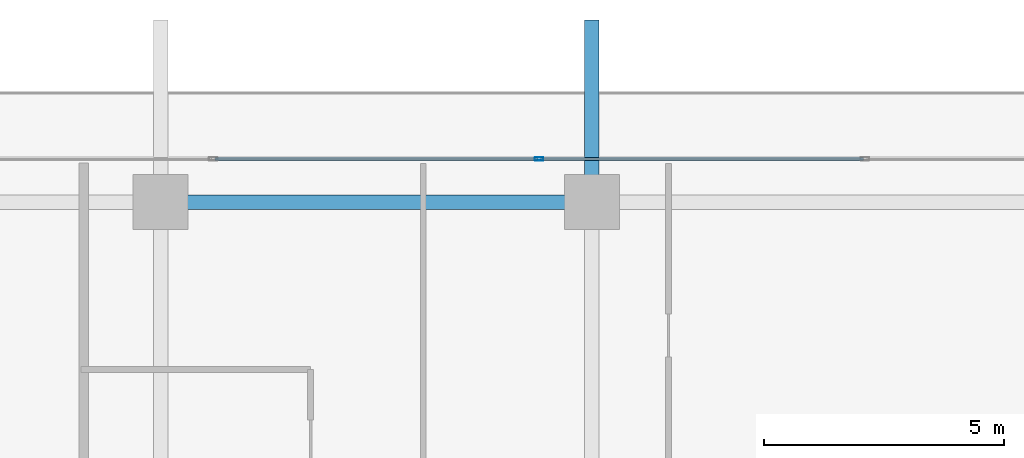
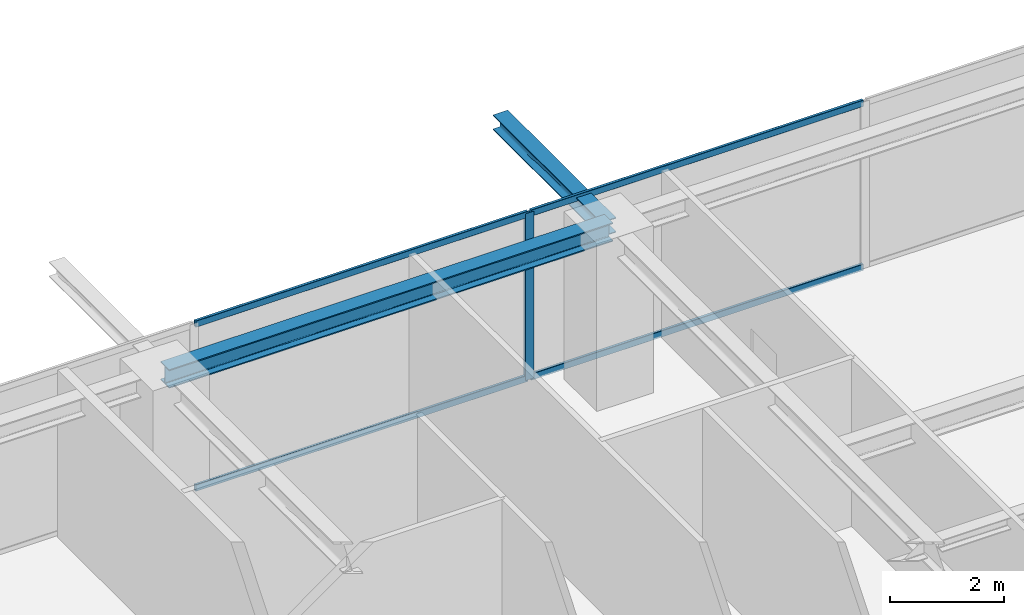
# One storey, part 21 of 38: 5 members, 2 beams, 1 element without a shape of its own.
"""IFC4 building model written with IfcOpenShell, lengths in metres."""

from ifc_helpers import new_model, si_unit, direction, frame, origin, origin_2d, place, context, subcontext, project, spatial, hollow_rectangle, i_section, extrude, source, transform, mapped, material, layer, layer_set, material_profile, profile_set, type_object, element, aggregate, save


model = new_model("IFC4")

# Units and contexts
model_context = context("Model", 3, precision=1e-05, world=origin(), true_north=direction((0.0, 1.0)))
body_context = subcontext(model_context, "Body", "Model", "MODEL_VIEW")
ifc_project = project(units=[si_unit("LENGTHUNIT", "METRE"), si_unit("AREAUNIT", "SQUARE_METRE"), si_unit("VOLUMEUNIT", "CUBIC_METRE"), si_unit("PLANEANGLEUNIT", "RADIAN"), si_unit("MASSUNIT", "GRAM", prefix="KILO")], contexts=[model_context])

# Site, building, storey
site_placement = place(None, origin())
site = spatial("IfcSite", under=ifc_project, at=site_placement, CompositionType="ELEMENT")
building_placement = place(site_placement, origin())
building = spatial("IfcBuilding", under=site, at=building_placement, Name="Serunith Strait Residences", CompositionType="ELEMENT")
storey_placement = place(building_placement, frame((0.0, 0.0, 229.699951171875)))
storey = spatial("IfcBuildingStorey", under=building, at=storey_placement, Name="L57", CompositionType="ELEMENT", Elevation=229.699951171875)

# Beams
ifc_material_1 = material(Name="Steel S355J2", Category="steel")
ifc_material_profile_1 = material_profile(ifc_material_1, i_section(OverallWidth=0.300048828125, OverallDepth=0.39990234375, WebThickness=0.013427734375, FlangeThickness=0.02392578125, FilletRadius=0.027099609375, at=origin_2d()), Name="HEB 400")
ifc_profile_set_1 = profile_set([ifc_material_profile_1], Name="Steel S355J2")
beam_type_1 = type_object("IfcBeamType", Name="BM-HEB400", PredefinedType="BEAM", material=ifc_profile_set_1)
shared_shape_1 = source(origin(), body_context, "Body", "SweptSolid", [
    extrude(i_section(OverallWidth=0.300048828125, OverallDepth=0.39990234375, WebThickness=0.013427734375, FlangeThickness=0.02392578125, FilletRadius=0.027099609375, at=origin_2d()), origin(), (0.0, 0.0, 1.0), 9.0),
])
beam_1_placement = place(storey_placement, frame((36.89990234375, 48.300048828125, 3.386962890625), z_axis=(-1.0, 0.0, 0.0), x_axis=(0.0, -1.0, 0.0)))
element("IfcBeam", 1, at=beam_1_placement, inside=storey, type_object=beam_type_1, Name="L57 Perimeter Ring Beam 10", PredefinedType="BEAM", context=body_context, shape_type="MappedRepresentation", body=[
    mapped(shared_shape_1, transform((0.0, 0.0, 0.0), scale=1.0)),
])
ifc_material_profile_2 = material_profile(ifc_material_1, i_section(OverallWidth=0.300048828125, OverallDepth=0.320068359375, WebThickness=0.011474609375, FlangeThickness=0.0205078125, FilletRadius=0.027099609375, at=origin_2d()), Name="HEB 320")
ifc_profile_set_2 = profile_set([ifc_material_profile_2], Name="Steel S355J2")
beam_type_2 = type_object("IfcBeamType", Name="BM-HEB320", PredefinedType="BEAM", material=ifc_profile_set_2)
shared_shape_2 = source(origin(), body_context, "Body", "SweptSolid", [
    extrude(i_section(OverallWidth=0.300048828125, OverallDepth=0.320068359375, WebThickness=0.011474609375, FlangeThickness=0.0205078125, FilletRadius=0.027099609375, at=origin_2d()), origin(), (0.0, 0.0, 1.0), 3.800048828125),
])
beam_2_placement = place(storey_placement, frame((36.89990234375, 48.300048828125, 3.39697265625), z_axis=(0.0, 1.0, 0.0), x_axis=(-1.0, 0.0, 0.0)))
element("IfcBeam", 2, at=beam_2_placement, inside=storey, type_object=beam_type_2, Name="L58 Cantilevered Balcony Rib TC-N3", PredefinedType="BEAM", context=body_context, shape_type="MappedRepresentation", body=[
    mapped(shared_shape_2, transform((0.0, 0.0, 0.0), scale=1.0)),
])

# Curtain wall, members
ifc_material_2 = material(Name="Pale-Champagne Anodised Aluminium", Category="aluminium")
ifc_layer = layer(ifc_material_2, 0.199951171875, Name="Pale-Champagne Anodised Aluminium")
ifc_layer_set = layer_set([ifc_layer], Name="Pale-Champagne Anodised Aluminium")
curtain_wall_type = type_object("IfcCurtainWallType", Name="CW-SYS4", PredefinedType="NOTDEFINED", material=ifc_layer_set)
curtain_wall_placement = place(storey_placement, origin())
curtain_wall = element("IfcCurtainWall", 3, at=curtain_wall_placement, inside=storey, type_object=curtain_wall_type, Name="L57 N Unitised Fritted Curtain Wall", PredefinedType="NOTDEFINED")
ifc_material_profile_3 = material_profile(ifc_material_2, hollow_rectangle(XDim=0.06494140625, YDim=0.179931640625, WallThickness=0.00341796875, InnerFilletRadius=0.00537109375, OuterFilletRadius=0.0087890625, at=origin_2d()), Name="ALU 180x65x3.5")
ifc_profile_set_3 = profile_set([ifc_material_profile_3], Name="Pale-Champagne Anodised Aluminium")
member_type_1 = type_object("IfcMemberType", Name="CW-SYS4-MULL", PredefinedType="MULLION", material=ifc_profile_set_3)
shared_shape_3 = source(origin(), body_context, "Body", "SweptSolid", [
    extrude(hollow_rectangle(XDim=0.06494140625, YDim=0.179931640625, WallThickness=0.00341796875, InnerFilletRadius=0.00537109375, OuterFilletRadius=0.0087890625, at=origin_2d()), origin(), (0.0, 0.0, 1.0), 3.574951171875),
])
member_1_placement = place(storey_placement, frame((35.800048828125, 49.199951171875, 0.0), z_axis=(0.0, 0.0, 1.0), x_axis=(0.0, -1.0, 0.0)))
member_1 = element("IfcMember", 4, at=member_1_placement, type_object=member_type_1, Name="CW-4 mullion 3", PredefinedType="MULLION", context=body_context, shape_type="MappedRepresentation", body=[
    mapped(shared_shape_3, transform((0.0, 0.0, 0.0), scale=1.0)),
])
ifc_material_profile_4 = material_profile(ifc_material_2, hollow_rectangle(XDim=0.06005859375, YDim=0.139892578125, WallThickness=0.00341796875, InnerFilletRadius=0.00537109375, OuterFilletRadius=0.0087890625, at=origin_2d()), Name="ALU 140x60x3.5")
ifc_profile_set_4 = profile_set([ifc_material_profile_4], Name="Pale-Champagne Anodised Aluminium")
member_type_2 = type_object("IfcMemberType", Name="CW-SYS4-TRAN", PredefinedType="USERDEFINED", material=ifc_profile_set_4)
shared_shape_4 = source(origin(), body_context, "Body", "SweptSolid", [
    extrude(hollow_rectangle(XDim=0.06005859375, YDim=0.139892578125, WallThickness=0.00341796875, InnerFilletRadius=0.00537109375, OuterFilletRadius=0.0087890625, at=origin_2d()), origin(), (0.0, 0.0, 1.0), 6.73486328125),
])
member_2_placement = place(storey_placement, frame((42.5673828125, 49.199951171875, 0.030029296875), z_axis=(-1.0, 0.0, 0.0), x_axis=(0.0, -1.0, 0.0)))
member_2 = element("IfcMember", 5, at=member_2_placement, type_object=member_type_2, Name="CW-4 transom 2.1", ObjectType="TRANSOM", PredefinedType="USERDEFINED", context=body_context, shape_type="MappedRepresentation", body=[
    mapped(shared_shape_4, transform((0.0, 0.0, 0.0), scale=1.0)),
])
member_3_placement = place(storey_placement, frame((42.5673828125, 49.199951171875, 3.545166015625), z_axis=(-1.0, 0.0, 0.0), x_axis=(0.0, -1.0, 0.0)))
member_3 = element("IfcMember", 6, at=member_3_placement, type_object=member_type_2, Name="CW-4 transom 2.2", ObjectType="TRANSOM", PredefinedType="USERDEFINED", context=body_context, shape_type="MappedRepresentation", body=[
    mapped(shared_shape_4, transform((0.0, 0.0, 0.0), scale=1.0)),
])
shared_shape_5 = source(origin(), body_context, "Body", "SweptSolid", [
    extrude(hollow_rectangle(XDim=0.06005859375, YDim=0.139892578125, WallThickness=0.00341796875, InnerFilletRadius=0.00537109375, OuterFilletRadius=0.0087890625, at=origin_2d()), origin(), (0.0, 0.0, 1.0), 6.735107421875),
])
member_4_placement = place(storey_placement, frame((35.767578125, 49.199951171875, 0.030029296875), z_axis=(-1.0, 0.0, 0.0), x_axis=(0.0, -1.0, 0.0)))
member_4 = element("IfcMember", 7, at=member_4_placement, type_object=member_type_2, Name="CW-4 transom 3.1", ObjectType="TRANSOM", PredefinedType="USERDEFINED", context=body_context, shape_type="MappedRepresentation", body=[
    mapped(shared_shape_5, transform((0.0, 0.0, 0.0), scale=1.0)),
])
member_5_placement = place(storey_placement, frame((35.767578125, 49.199951171875, 3.545166015625), z_axis=(-1.0, 0.0, 0.0), x_axis=(0.0, -1.0, 0.0)))
member_5 = element("IfcMember", 8, at=member_5_placement, type_object=member_type_2, Name="CW-4 transom 3.2", ObjectType="TRANSOM", PredefinedType="USERDEFINED", context=body_context, shape_type="MappedRepresentation", body=[
    mapped(shared_shape_5, transform((0.0, 0.0, 0.0), scale=1.0)),
])
aggregate(curtain_wall, [member_1, member_2, member_3, member_4, member_5])

save(model, "model.ifc")
